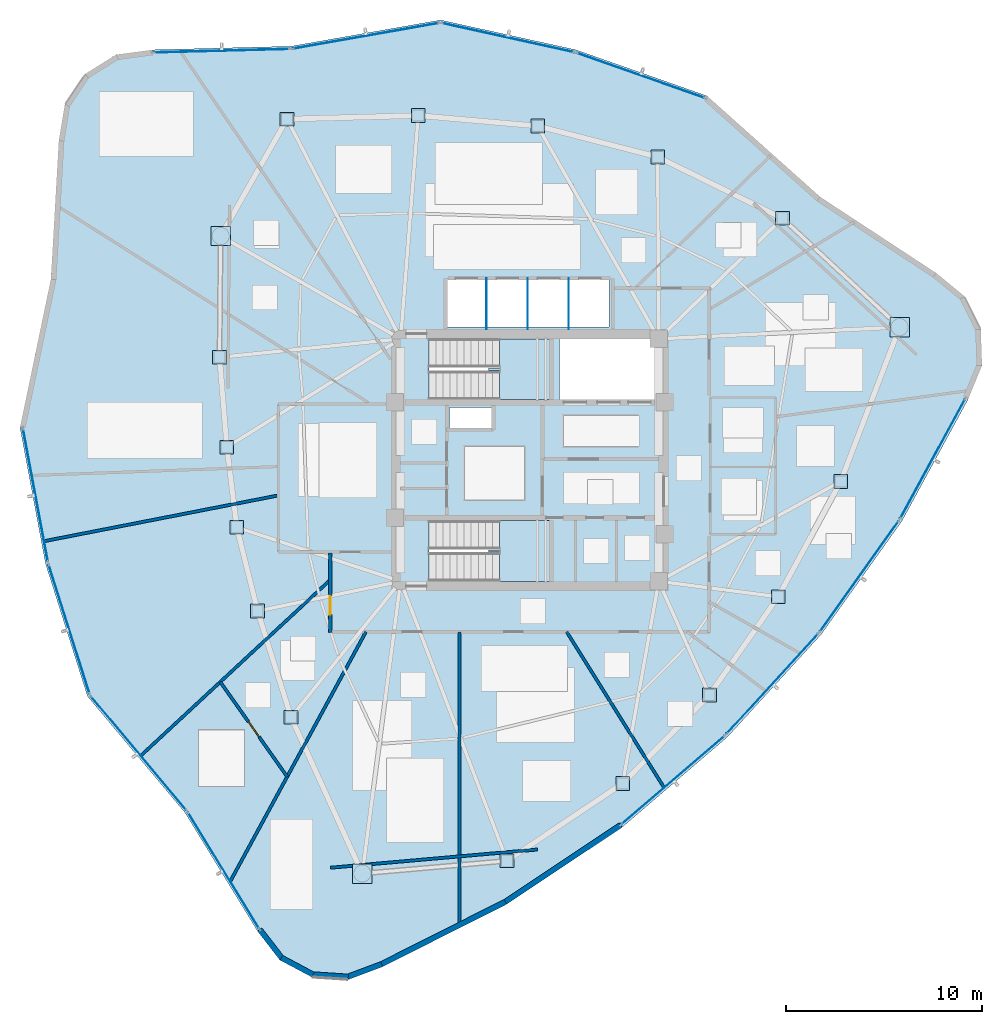
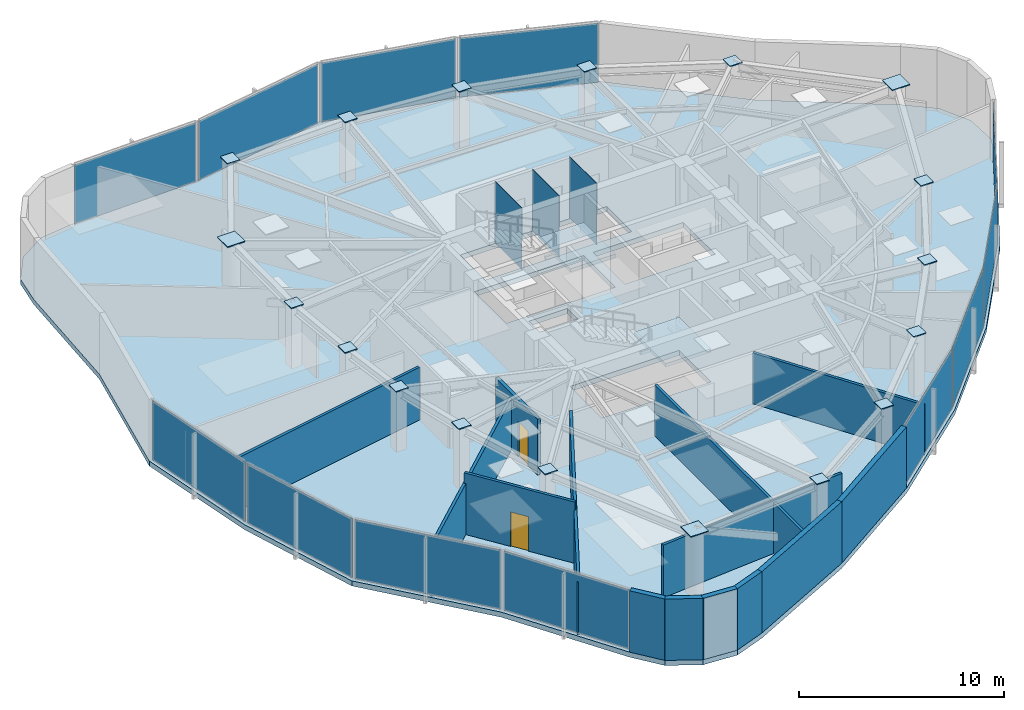
# One storey, part 7 of 13: 33 plates, 14 walls, 3 slabs, 2 doors, 2 openings, 14 elements without a shape of their own.
"""IFC4 building model written with IfcOpenShell, lengths in metres."""

from ifc_helpers import new_model, si_unit, direction, frame, frame_2d, origin, origin_2d, place, context, subcontext, project, spatial, polyline, rectangle, outline, extrude, source, transform, mapped, material, layer, layer_set, type_object, type_shapes, element, fill, aggregate, save


model = new_model("IFC4")

# Units and contexts
model_context = context("Model", 3, precision=1e-05, world=origin(), true_north=direction((0.0, 1.0)))
body_context = subcontext(model_context, "Body", "Model", "MODEL_VIEW")
ifc_project = project(units=[si_unit("LENGTHUNIT", "METRE"), si_unit("AREAUNIT", "SQUARE_METRE"), si_unit("VOLUMEUNIT", "CUBIC_METRE"), si_unit("PLANEANGLEUNIT", "RADIAN"), si_unit("MASSUNIT", "GRAM", prefix="KILO")], contexts=[model_context])

# Site, building, storey
site_placement = place(None, origin())
site = spatial("IfcSite", under=ifc_project, at=site_placement, CompositionType="ELEMENT")
building_placement = place(site_placement, origin())
building = spatial("IfcBuilding", under=site, at=building_placement, Name="Tavelor Broadcast Tower", CompositionType="ELEMENT")
storey_placement = place(building_placement, frame((0.0, 0.0, 226.10009765625)))
storey = spatial("IfcBuildingStorey", under=building, at=storey_placement, Name="L53", CompositionType="ELEMENT", Elevation=226.10009765625)

# Stair, slab
ifc_material_1 = material(Name="Concrete C40/50", Category="concrete")
stair_type = type_object("IfcStairType", Name="Reinforced Concrete Protected Dogleg Stair 1450 mm", PredefinedType="HALF_TURN_STAIR", material=ifc_material_1)
stair_1_placement = place(storey_placement, origin())
stair_1 = element("IfcStair", 1, at=stair_1_placement, inside=storey, type_object=stair_type, Name="L53 Protected Core Exit Stair ST1", PredefinedType="HALF_TURN_STAIR")
ifc_layer_1 = layer(ifc_material_1, 0.199951171875)
ifc_layer_set_1 = layer_set([ifc_layer_1], Name="Concrete C40/50")
slab_type_1 = type_object("IfcSlabType", Name="Reinforced Concrete Stair Half-Landing Slab 200 mm", PredefinedType="LANDING", material=ifc_layer_set_1)
slab_1_placement = place(storey_placement, frame((0.0, 0.0, 1.77490234375)))
slab_1 = element("IfcSlab", 2, at=slab_1_placement, type_object=slab_type_1, Name="ST1 landing 1", PredefinedType="LANDING", context=body_context, shape_type="SweptSolid", body=[
    extrude(outline(polyline([(48.445068359375, 49.590087890625), (48.445068359375, 48.094970703125), (51.0048828125, 48.094970703125), (51.0048828125, 51.205078125), (48.445068359375, 51.205078125), (48.445068359375, 49.7099609375), (47.905029296875, 49.7099609375), (47.905029296875, 49.590087890625), (48.445068359375, 49.590087890625)])), origin(), (0.0, 0.0, 1.0), 0.199951171875),
])
aggregate(stair_1, [slab_1])

stair_2_placement = place(storey_placement, origin())
stair_2 = element("IfcStair", 3, at=stair_2_placement, inside=storey, type_object=stair_type, Name="L53 Protected Core Exit Stair ST2", PredefinedType="HALF_TURN_STAIR")
slab_2_placement = place(storey_placement, frame((0.0, 0.0, 1.77490234375)))
slab_2 = element("IfcSlab", 4, at=slab_2_placement, type_object=slab_type_1, Name="ST2 landing 1", PredefinedType="LANDING", context=body_context, shape_type="SweptSolid", body=[
    extrude(outline(polyline([(48.445068359375, 40.2900390625), (48.445068359375, 38.794921875), (51.0048828125, 38.794921875), (51.0048828125, 41.905029296875), (48.445068359375, 41.905029296875), (48.445068359375, 40.409912109375), (47.905029296875, 40.409912109375), (47.905029296875, 40.2900390625), (48.445068359375, 40.2900390625)])), origin(), (0.0, 0.0, 1.0), 0.199951171875),
])
aggregate(stair_2, [slab_2])

# Slab
ifc_layer_2 = layer(ifc_material_1, 0.300048828125)
ifc_layer_set_2 = layer_set([ifc_layer_2], Name="Concrete C40/50")
slab_type_2 = type_object("IfcSlabType", Name="Tower Composite Floor Slab 300 mm", PredefinedType="FLOOR", material=ifc_layer_set_2)
slab_3_placement = place(storey_placement, frame((0.0, 0.0, -0.300048828125)))
element("IfcSlab", 5, at=slab_3_placement, inside=storey, type_object=slab_type_2, Name="L53 Structural Floor Slab", PredefinedType="FLOOR", context=body_context, shape_type="SweptSolid", body=[
    extrude(outline(polyline([(30.6962890625, 65.982666015625), (28.846923828125, 65.734375), (27.263916015625, 64.7470703125), (26.227294921875, 63.195556640625), (25.9208984375, 61.35498046875), (25.514892578125, 54.264892578125), (23.933349609375, 46.665771484375), (25.242919921875, 39.685791015625), (27.38720703125, 32.915283203125), (32.3720703125, 26.9658203125), (36.080322265625, 20.90869140625), (37.219970703125, 19.431396484375), (38.86669921875, 18.55419921875), (40.728515625, 18.43212890625), (42.4755859375, 19.087158203125), (48.819091796875, 22.28076171875), (54.729248046875, 26.218505859375), (60.119384765625, 30.842529296875), (64.91064453125, 36.0849609375), (69.031982421875, 41.86865234375), (72.42333984375, 48.1083984375), (73.1328125, 49.833984375), (73.0693359375, 51.698974609375), (72.244140625, 53.372314453125), (70.803466796875, 54.557861328125), (64.865966796875, 58.45458984375), (59.075927734375, 63.623779296875), (52.376220703125, 65.979736328125), (45.440673828125, 67.5078125), (37.7958984375, 66.165771484375), (30.6962890625, 65.982666015625)]), holes=[polyline([(50.99609375, 41.89599609375), (50.99609375, 38.803955078125), (44.85400390625, 38.803955078125), (44.85400390625, 41.89599609375), (50.99609375, 41.89599609375)]), polyline([(48.050048828125, 47.699951171875), (48.050048828125, 46.64990234375), (45.89990234375, 46.64990234375), (45.89990234375, 47.699951171875), (48.050048828125, 47.699951171875)]), polyline([(50.99609375, 51.196044921875), (50.99609375, 48.10400390625), (44.85400390625, 48.10400390625), (44.85400390625, 51.196044921875), (50.99609375, 51.196044921875)]), polyline([(56.60009765625, 48.10009765625), (51.52001953125, 48.10009765625), (51.52001953125, 51.199951171875), (56.60009765625, 51.199951171875), (56.60009765625, 48.10009765625)]), polyline([(54.050048828125, 51.800048828125), (45.800048828125, 51.800048828125), (45.800048828125, 54.25), (54.050048828125, 54.25), (54.050048828125, 51.800048828125)])]), origin(), (0.0, 0.0, 1.0), 0.300048828125),
])

# Plates
ifc_material_2 = material(Name="Steel S460", Category="steel")
ifc_layer_3 = layer(ifc_material_2, 0.050048828125)
ifc_layer_set_3 = layer_set([ifc_layer_3], Name="Steel S460")
plate_type_1 = type_object("IfcPlateType", Name="Tube Hollow-End Cap Plate KN05 700x700x50", PredefinedType="USERDEFINED", material=ifc_layer_set_3)
shared_shape_1 = source(origin(), body_context, "Body", "SweptSolid", [
    extrude(rectangle(XDim=0.699951171875, YDim=0.699951171875, at=origin_2d()), origin(), (0.0, 0.0, 1.0), 0.054931640625),
])
for number, where, z_axis, x_axis, name in (
    (6, (34.13720703125, 50.255859375, 3.62255859375), (0.0, 0.0, 1.0), (1.0, 0.0, 0.0), "L53 Hollow End Cap Plate KN05 #1562"),
    (7, (34.513671875, 45.66455078125, 3.62255859375), (0.0, 0.0, 1.0), (1.0, 0.0, 0.0), "L53 Hollow End Cap Plate KN05 #1563"),
    (8, (35.018798828125, 41.56396484375, 3.62255859375), (0.0, 0.0, 1.0), (1.0, 0.0, 0.0), "L53 Hollow End Cap Plate KN05 #1564"),
    (9, (36.08349609375, 37.2822265625, 3.62255859375), (0.0, 0.0, 1.0), (1.0, 0.0, 0.0), "L53 Hollow End Cap Plate KN05 #1565"),
    (10, (37.797119140625, 31.853271484375, 3.62255859375), (0.0, 0.0, 1.0), (1.0, 0.0, 0.0), "L53 Hollow End Cap Plate KN05 #1566"),
    (11, (48.843994140625, 24.5048828125, 3.62255859375), (0.0, 0.0, 1.0), (1.0, 0.0, 0.0), "L53 Hollow End Cap Plate KN05 #1568"),
    (12, (54.754150390625, 28.461669921875, 3.62255859375), (0.0, 0.0, 1.0), (1.0, 0.0, 0.0), "L53 Hollow End Cap Plate KN05 #1569"),
    (13, (59.1923828125, 32.987060546875, 3.62255859375), (0.0, 0.0, 1.0), (1.0, 0.0, 0.0), "L53 Hollow End Cap Plate KN05 #1570"),
    (14, (62.7109375, 38.009033203125, 3.62255859375), (0.0, 0.0, 1.0), (1.0, 0.0, 0.0), "L53 Hollow End Cap Plate KN05 #1571"),
    (15, (65.9072265625, 43.909423828125, 3.62255859375), (0.0, 0.0, 1.0), (1.0, 0.0, 0.0), "L53 Hollow End Cap Plate KN05 #1572"),
    (16, (62.92724609375, 57.364013671875, 3.62255859375), (0.0, 0.0, 1.0), (1.0, 0.0, 0.0), "L53 Hollow End Cap Plate KN05 #1574"),
    (17, (56.545654296875, 60.504150390625, 3.62255859375), (0.0, 0.0, 1.0), (1.0, 0.0, 0.0), "L53 Hollow End Cap Plate KN05 #1575"),
    (18, (50.4072265625, 62.0849609375, 3.62255859375), (0.0, 0.0, 1.0), (1.0, 0.0, 0.0), "L53 Hollow End Cap Plate KN05 #1576"),
    (19, (44.298828125, 62.621337890625, 3.62255859375), (0.0, 0.0, 1.0), (1.0, 0.0, 0.0), "L53 Hollow End Cap Plate KN05 #1577"),
    (20, (37.5908203125, 62.439208984375, 3.62255859375), (0.0, 0.0, 1.0), (1.0, 0.0, 0.0), "L53 Hollow End Cap Plate KN05 #1578"),
):
    element("IfcPlate", number, at=place(storey_placement, frame(where, z_axis=z_axis, x_axis=x_axis)), inside=storey, type_object=plate_type_1, Name=name, ObjectType="CAP PLATE", PredefinedType="USERDEFINED", context=body_context, shape_type="MappedRepresentation", body=[
        mapped(shared_shape_1, transform((0.0, 0.0, 0.0), scale=1.0)),
    ])
shared_shape_2 = source(origin(), body_context, "Body", "SweptSolid", [
    extrude(rectangle(XDim=0.993896484375, YDim=0.993896484375, at=origin_2d()), origin(), (0.0, 0.0, 1.0), 0.054931640625),
])
type_shapes(plate_type_1, [shared_shape_1, shared_shape_2])
for number, where, z_axis, x_axis, name in (
    (21, (34.1962890625, 56.4599609375, 3.62255859375), (0.0, 0.0, 1.0), (1.0, 0.0, 0.0), "L53 Hollow End Cap Plate KN05 #1561"),
    (22, (41.440185546875, 23.853759765625, 3.62255859375), (0.0, 0.0, 1.0), (1.0, 0.0, 0.0), "L53 Hollow End Cap Plate KN05 #1567"),
    (23, (68.919677734375, 51.799072265625, 3.62255859375), (0.0, 0.0, 1.0), (1.0, 0.0, 0.0), "L53 Hollow End Cap Plate KN05 #1573"),
):
    element("IfcPlate", number, at=place(storey_placement, frame(where, z_axis=z_axis, x_axis=x_axis)), inside=storey, type_object=plate_type_1, Name=name, ObjectType="CAP PLATE", PredefinedType="USERDEFINED", context=body_context, shape_type="MappedRepresentation", body=[
        mapped(shared_shape_2, transform((0.0, 0.0, 0.0), scale=1.0)),
    ])
ifc_material_3 = material(Name="Steel S355", Category="steel")
ifc_layer_4 = layer(ifc_material_3, 0.011962890625)
ifc_layer_set_4 = layer_set([ifc_layer_4], Name="Steel S355")
plate_type_2 = type_object("IfcPlateType", Name="Hoistway Steel Separator Screen 12 mm", PredefinedType="SHEET", material=ifc_layer_set_4)
shared_shape_3 = source(origin(), body_context, "Body", "SweptSolid", [
    extrude(rectangle(XDim=0.02001953125, YDim=2.6201171875, at=origin_2d()), origin(), (0.0, 0.0, 1.0), 3.64990234375),
])
type_shapes(plate_type_2, [shared_shape_3])
for number, where, z_axis, x_axis, name in (
    (24, (47.800048828125, 52.989990234375, 0.0), (0.0, 0.0, 1.0), (1.0, 0.0, 0.0), "L53 High-Rise Hoistway Separator Screen 1"),
    (25, (49.89990234375, 52.989990234375, 0.0), (0.0, 0.0, 1.0), (1.0, 0.0, 0.0), "L53 High-Rise Hoistway Separator Screen 2"),
    (26, (52.0, 52.989990234375, 0.0), (0.0, 0.0, 1.0), (1.0, 0.0, 0.0), "L53 High-Rise Hoistway Separator Screen 3"),
):
    element("IfcPlate", number, at=place(storey_placement, frame(where, z_axis=z_axis, x_axis=x_axis)), inside=storey, type_object=plate_type_2, Name=name, PredefinedType="SHEET", context=body_context, shape_type="MappedRepresentation", body=[
        mapped(shared_shape_3, transform((0.0, 0.0, 0.0), scale=1.0)),
    ])

# Curtain wall, plate
ifc_material_4 = material(Name="Architectural Anodized Aluminium", Category="aluminium")
ifc_layer_5 = layer(ifc_material_4, 0.199951171875)
ifc_layer_set_5 = layer_set([ifc_layer_5], Name="Architectural Anodized Aluminium")
curtain_wall_type = type_object("IfcCurtainWallType", Name="Tower High-Zone Triple-Glazed Curtain Wall CW04", PredefinedType="NOTDEFINED", material=ifc_layer_set_5)
curtain_wall_1_placement = place(storey_placement, origin())
curtain_wall_1 = element("IfcCurtainWall", 27, at=curtain_wall_1_placement, inside=storey, type_object=curtain_wall_type, Name="L53 Curtain Wall CW04 Run 565", PredefinedType="NOTDEFINED")
ifc_material_5 = material(Name="High-Altitude Triple Glazing 36 mm", Category="glass")
ifc_layer_6 = layer(ifc_material_5, 0.035888671875)
ifc_layer_set_6 = layer_set([ifc_layer_6], Name="High-Altitude Triple Glazing 36 mm")
plate_type_3 = type_object("IfcPlateType", Name="CW04 Insulated Vision Glazing Panel 36 mm", PredefinedType="CURTAIN_PANEL", material=ifc_layer_set_6)
shared_shape_4 = source(origin(), body_context, "Body", "SweptSolid", [
    extrude(rectangle(XDim=6.91064453125, YDim=0.035888671875, at=origin_2d()), origin(), (0.0, 0.0, 1.0), 3.510009765625),
])
plate_1_placement = place(storey_placement, frame((24.72607421875, 43.199462890625, 0.06982421875), z_axis=(0.0, 0.0, 1.0), x_axis=(0.184379305609, -0.982855163116, 0.0)))
plate_1 = element("IfcPlate", 28, at=plate_1_placement, type_object=plate_type_3, Name="CW04 panel 1.1", PredefinedType="CURTAIN_PANEL", context=body_context, shape_type="MappedRepresentation", body=[
    mapped(shared_shape_4, transform((0.0, 0.0, 0.0), scale=1.0)),
])
aggregate(curtain_wall_1, [plate_1])

curtain_wall_2_placement = place(storey_placement, origin())
curtain_wall_2 = element("IfcCurtainWall", 29, at=curtain_wall_2_placement, inside=storey, type_object=curtain_wall_type, Name="L53 Curtain Wall CW04 Run 573", PredefinedType="NOTDEFINED")
plate_2_placement = place(storey_placement, frame((55.677734375, 64.67041015625, 0.06982421875), z_axis=(0.0, 0.0, 1.0), x_axis=(-0.943365994219, 0.331753825827, 0.0)))
plate_2 = element("IfcPlate", 30, at=plate_2_placement, type_object=plate_type_3, Name="CW04 panel 1.1", PredefinedType="CURTAIN_PANEL", context=body_context, shape_type="MappedRepresentation", body=[
    mapped(shared_shape_4, transform((0.0, 0.0, 0.0), scale=1.0)),
])
aggregate(curtain_wall_2, [plate_2])

curtain_wall_3_placement = place(storey_placement, origin())
curtain_wall_3 = element("IfcCurtainWall", 31, at=curtain_wall_3_placement, inside=storey, type_object=curtain_wall_type, Name="L53 Curtain Wall CW04 Run 566", PredefinedType="NOTDEFINED")
shared_shape_5 = source(origin(), body_context, "Body", "SweptSolid", [
    extrude(rectangle(XDim=6.895751953125, YDim=0.035888671875, at=origin_2d()), origin(), (0.0, 0.0, 1.0), 3.510009765625),
])
plate_3_placement = place(storey_placement, frame((26.445556640625, 36.35205078125, 0.06982421875), z_axis=(0.0, 0.0, 1.0), x_axis=(0.301959091875, -0.953320883456, 0.0)))
plate_3 = element("IfcPlate", 32, at=plate_3_placement, type_object=plate_type_3, Name="CW04 panel 1.1", PredefinedType="CURTAIN_PANEL", context=body_context, shape_type="MappedRepresentation", body=[
    mapped(shared_shape_5, transform((0.0, 0.0, 0.0), scale=1.0)),
])
aggregate(curtain_wall_3, [plate_3])

curtain_wall_4_placement = place(storey_placement, origin())
curtain_wall_4 = element("IfcCurtainWall", 33, at=curtain_wall_4_placement, inside=storey, type_object=curtain_wall_type, Name="L53 Curtain Wall CW04 Run 574", PredefinedType="NOTDEFINED")
plate_4_placement = place(storey_placement, frame((48.8876953125, 66.60498046875, 0.06982421875), z_axis=(0.0, 0.0, 1.0), x_axis=(-0.976578745091, 0.21516029986, 0.0)))
plate_4 = element("IfcPlate", 34, at=plate_4_placement, type_object=plate_type_3, Name="CW04 panel 1.1", PredefinedType="CURTAIN_PANEL", context=body_context, shape_type="MappedRepresentation", body=[
    mapped(shared_shape_5, transform((0.0, 0.0, 0.0), scale=1.0)),
])
aggregate(curtain_wall_4, [plate_4])

curtain_wall_5_placement = place(storey_placement, origin())
curtain_wall_5 = element("IfcCurtainWall", 35, at=curtain_wall_5_placement, inside=storey, type_object=curtain_wall_type, Name="L53 Curtain Wall CW04 Run 567", PredefinedType="NOTDEFINED")
shared_shape_6 = source(origin(), body_context, "Body", "SweptSolid", [
    extrude(rectangle(XDim=7.574462890625, YDim=0.035888671875, at=origin_2d()), origin(), (0.0, 0.0, 1.0), 3.510009765625),
])
plate_5_placement = place(storey_placement, frame((29.999267578125, 30.015869140625, 0.06982421875), z_axis=(0.0, 0.0, 1.0), x_axis=(0.642220891832, -0.766519618858, 0.0)))
plate_5 = element("IfcPlate", 36, at=plate_5_placement, type_object=plate_type_3, Name="CW04 panel 1.1", PredefinedType="CURTAIN_PANEL", context=body_context, shape_type="MappedRepresentation", body=[
    mapped(shared_shape_6, transform((0.0, 0.0, 0.0), scale=1.0)),
])
aggregate(curtain_wall_5, [plate_5])

curtain_wall_6_placement = place(storey_placement, origin())
curtain_wall_6 = element("IfcCurtainWall", 37, at=curtain_wall_6_placement, inside=storey, type_object=curtain_wall_type, Name="L53 Curtain Wall CW04 Run 575", PredefinedType="NOTDEFINED")
plate_6_placement = place(storey_placement, frame((41.623779296875, 66.695556640625, 0.06982421875), z_axis=(0.0, 0.0, 1.0), x_axis=(-0.984937936626, -0.172908244437, 0.0)))
plate_6 = element("IfcPlate", 38, at=plate_6_placement, type_object=plate_type_3, Name="CW04 panel 1.1", PredefinedType="CURTAIN_PANEL", context=body_context, shape_type="MappedRepresentation", body=[
    mapped(shared_shape_6, transform((0.0, 0.0, 0.0), scale=1.0)),
])
aggregate(curtain_wall_6, [plate_6])

curtain_wall_7_placement = place(storey_placement, origin())
curtain_wall_7 = element("IfcCurtainWall", 39, at=curtain_wall_7_placement, inside=storey, type_object=curtain_wall_type, Name="L53 Curtain Wall CW04 Run 568", PredefinedType="NOTDEFINED")
shared_shape_7 = source(origin(), body_context, "Body", "SweptSolid", [
    extrude(rectangle(XDim=6.94970703125, YDim=0.035888671875, at=origin_2d()), origin(), (0.0, 0.0, 1.0), 3.510009765625),
])
plate_7_placement = place(storey_placement, frame((34.344970703125, 24.01171875, 0.06982421875), z_axis=(0.0, 0.0, 1.0), x_axis=(0.522143600434, -0.852857585137, 0.0)))
plate_7 = element("IfcPlate", 40, at=plate_7_placement, type_object=plate_type_3, Name="CW04 panel 1.1", PredefinedType="CURTAIN_PANEL", context=body_context, shape_type="MappedRepresentation", body=[
    mapped(shared_shape_7, transform((0.0, 0.0, 0.0), scale=1.0)),
])
aggregate(curtain_wall_7, [plate_7])

curtain_wall_8_placement = place(storey_placement, origin())
curtain_wall_8 = element("IfcCurtainWall", 41, at=curtain_wall_8_placement, inside=storey, type_object=curtain_wall_type, Name="L53 Curtain Wall CW04 Run 576", PredefinedType="NOTDEFINED")
plate_8_placement = place(storey_placement, frame((34.251220703125, 65.934326171875, 0.06982421875), z_axis=(0.0, 0.0, 1.0), x_axis=(-0.999667899844, -0.02576994416, 0.0)))
plate_8 = element("IfcPlate", 42, at=plate_8_placement, type_object=plate_type_3, Name="CW04 panel 1.1", PredefinedType="CURTAIN_PANEL", context=body_context, shape_type="MappedRepresentation", body=[
    mapped(shared_shape_7, transform((0.0, 0.0, 0.0), scale=1.0)),
])
aggregate(curtain_wall_8, [plate_8])

curtain_wall_9_placement = place(storey_placement, origin())
curtain_wall_9 = element("IfcCurtainWall", 43, at=curtain_wall_9_placement, inside=storey, type_object=curtain_wall_type, Name="L53 Curtain Wall CW04 Run 569", PredefinedType="NOTDEFINED")
shared_shape_8 = source(origin(), body_context, "Body", "SweptSolid", [
    extrude(rectangle(XDim=6.929931640625, YDim=0.035888671875, at=origin_2d()), origin(), (0.0, 0.0, 1.0), 3.510009765625),
])
plate_9_placement = place(storey_placement, frame((57.327392578125, 28.6318359375, 0.06982421875), z_axis=(0.0, 0.0, 1.0), x_axis=(0.758985963597, 0.65110698588, 0.0)))
plate_9 = element("IfcPlate", 44, at=plate_9_placement, type_object=plate_type_3, Name="CW04 panel 1.1", PredefinedType="CURTAIN_PANEL", context=body_context, shape_type="MappedRepresentation", body=[
    mapped(shared_shape_8, transform((0.0, 0.0, 0.0), scale=1.0)),
])
aggregate(curtain_wall_9, [plate_9])

curtain_wall_10_placement = place(storey_placement, origin())
curtain_wall_10 = element("IfcCurtainWall", 45, at=curtain_wall_10_placement, inside=storey, type_object=curtain_wall_type, Name="L53 Curtain Wall CW04 Run 570", PredefinedType="NOTDEFINED")
shared_shape_9 = source(origin(), body_context, "Body", "SweptSolid", [
    extrude(rectangle(XDim=6.9150390625, YDim=0.035888671875, at=origin_2d()), origin(), (0.0, 0.0, 1.0), 3.510009765625),
])
plate_10_placement = place(storey_placement, frame((62.41162109375, 33.558349609375, 0.06982421875), z_axis=(0.0, 0.0, 1.0), x_axis=(0.674620508162, 0.738164730915, 0.0)))
plate_10 = element("IfcPlate", 46, at=plate_10_placement, type_object=plate_type_3, Name="CW04 panel 1.1", PredefinedType="CURTAIN_PANEL", context=body_context, shape_type="MappedRepresentation", body=[
    mapped(shared_shape_9, transform((0.0, 0.0, 0.0), scale=1.0)),
])
aggregate(curtain_wall_10, [plate_10])

curtain_wall_11_placement = place(storey_placement, origin())
curtain_wall_11 = element("IfcCurtainWall", 47, at=curtain_wall_11_placement, inside=storey, type_object=curtain_wall_type, Name="L53 Curtain Wall CW04 Run 571", PredefinedType="NOTDEFINED")
shared_shape_10 = source(origin(), body_context, "Body", "SweptSolid", [
    extrude(rectangle(XDim=6.914794921875, YDim=0.035888671875, at=origin_2d()), origin(), (0.0, 0.0, 1.0), 3.510009765625),
])
plate_11_placement = place(storey_placement, frame((66.857421875, 39.05810546875, 0.06982421875), z_axis=(0.0, 0.0, 1.0), x_axis=(0.580338131869, 0.814375621381, 0.0)))
plate_11 = element("IfcPlate", 48, at=plate_11_placement, type_object=plate_type_3, Name="CW04 panel 1.1", PredefinedType="CURTAIN_PANEL", context=body_context, shape_type="MappedRepresentation", body=[
    mapped(shared_shape_10, transform((0.0, 0.0, 0.0), scale=1.0)),
])
aggregate(curtain_wall_11, [plate_11])

curtain_wall_12_placement = place(storey_placement, origin())
curtain_wall_12 = element("IfcCurtainWall", 49, at=curtain_wall_12_placement, inside=storey, type_object=curtain_wall_type, Name="L53 Curtain Wall CW04 Run 572", PredefinedType="NOTDEFINED")
shared_shape_11 = source(origin(), body_context, "Body", "SweptSolid", [
    extrude(rectangle(XDim=6.930908203125, YDim=0.035888671875, at=origin_2d()), origin(), (0.0, 0.0, 1.0), 3.510009765625),
])
type_shapes(plate_type_3, [shared_shape_4, shared_shape_5, shared_shape_6, shared_shape_7, shared_shape_8, shared_shape_9, shared_shape_10, shared_shape_11])
plate_12_placement = place(storey_placement, frame((70.608642578125, 45.0625, 0.06982421875), z_axis=(0.0, 0.0, 1.0), x_axis=(0.477522814111, 0.878619349892, 0.0)))
plate_12 = element("IfcPlate", 50, at=plate_12_placement, type_object=plate_type_3, Name="CW04 panel 1.1", PredefinedType="CURTAIN_PANEL", context=body_context, shape_type="MappedRepresentation", body=[
    mapped(shared_shape_11, transform((0.0, 0.0, 0.0), scale=1.0)),
])
aggregate(curtain_wall_12, [plate_12])

# Wall, opening, door
ifc_material_6 = material(Name="Calcium Silicate Fire Board 180 mm", Category="gypsum")
ifc_layer_7 = layer(ifc_material_6, 0.179931640625)
ifc_layer_set_7 = layer_set([ifc_layer_7], Name="Calcium Silicate Fire Board 180 mm")
wall_type_1 = type_object("IfcWallType", Name="Fire-Rated Corridor Partition Wall 180 mm", PredefinedType="PARTITIONING", material=ifc_layer_set_7)
wall_1_placement = place(storey_placement, frame((39.800048828125, 36.169921875, 0.0), z_axis=(0.0, 0.0, 1.0), x_axis=(0.0, 1.0, 0.0)))
wall_1 = element("IfcWall", 51, at=wall_1_placement, inside=storey, type_object=wall_type_1, Name="L53 Corridor Compartment Wall 05", PredefinedType="PARTITIONING", context=body_context, shape_type="SweptSolid", body=[
    extrude(rectangle(XDim=4.080078125, YDim=0.179931640625, at=frame_2d((2.0400390625, 0.0))), origin(), (0.0, 0.0, 1.0), 3.324951171875),
])
opening_1_placement = place(wall_1_placement, frame((0.9287109375, 0.0, 0.0)))
opening_1 = element("IfcOpeningElement", 52, at=opening_1_placement, cuts=wall_1, Name="Opening DR18", PredefinedType="OPENING", context=body_context, shape_type="SweptSolid", body=[
    extrude(rectangle(XDim=0.949951171875, YDim=2.050048828125, at=frame_2d((0.47509765625, 1.02490234375))), frame((0.0, 0.10009765625, 0.0), z_axis=(0.0, -1.0, 0.0), x_axis=(1.0, 0.0, 0.0)), (0.0, 0.0, 1.0), 0.199951171875),
])
ifc_material_7 = material(Name="Timber Solid Core Hardwood", Category="wood")
door_type_1 = type_object("IfcDoorType", Name="Corridor Rated Compartment Door 950x2050", OperationType="NOTDEFINED", PredefinedType="DOOR", material=ifc_material_7)
door_1_placement = place(opening_1_placement, origin())
door_1 = element("IfcDoor", 53, at=door_1_placement, inside=storey, type_object=door_type_1, Name="L53 Broadcast Editorial Office Door R13", OperationType="SINGLE_SWING_RIGHT", OverallHeight=2.050048828125, OverallWidth=0.949951171875, PredefinedType="DOOR", context=body_context, shape_type="SweptSolid", body=[
    extrude(rectangle(XDim=0.949951171875, YDim=2.050048828125, at=frame_2d((0.47509765625, 1.02490234375))), frame((0.0, 0.02490234375, 0.0), z_axis=(0.0, -1.0, 0.0), x_axis=(1.0, 0.0, 0.0)), (0.0, 0.0, 1.0), 0.050048828125),
])
fill(opening_1, door_1)

# Walls
ifc_material_8 = material(Name="Precast Concrete C40/50", Category="concrete")
ifc_layer_8 = layer(ifc_material_8, 0.280029296875)
ifc_layer_set_8 = layer_set([ifc_layer_8], Name="Precast Concrete C40/50")
wall_type_2 = type_object("IfcWallType", Name="Insulated Precast Terracotta Facade Wall 280 mm", PredefinedType="STANDARD", material=ifc_layer_set_8)
wall_2_placement = place(storey_placement, frame((36.193359375, 20.991455078125, 0.0), z_axis=(0.0, 0.0, 1.0), x_axis=(0.610815292471, -0.791773123112, 0.0)))
element("IfcWall", 54, at=wall_2_placement, inside=storey, type_object=wall_type_2, Name="L53 Rounded Corner Structural Cladding Pier 11", PredefinedType="STANDARD", context=body_context, shape_type="SweptSolid", body=[
    extrude(rectangle(XDim=1.846923828125, YDim=0.280029296875, at=frame_2d((0.92333984375, 0.0))), origin(), (0.0, 0.0, 1.0), 3.64990234375),
])
wall_3_placement = place(storey_placement, frame((37.29931640625, 19.5478515625, 0.0), z_axis=(0.0, 0.0, 1.0), x_axis=(0.882555373854, -0.470208477253, 0.0)))
element("IfcWall", 55, at=wall_3_placement, inside=storey, type_object=wall_type_2, Name="L53 Rounded Corner Structural Cladding Pier 12", PredefinedType="STANDARD", context=body_context, shape_type="SweptSolid", body=[
    extrude(rectangle(XDim=1.83544921875, YDim=0.280029296875, at=frame_2d((0.917724609375, 0.0))), origin(), (0.0, 0.0, 1.0), 3.64990234375),
])
wall_4_placement = place(storey_placement, frame((38.89111328125, 18.69287109375, 0.0), z_axis=(0.0, 0.0, 1.0), x_axis=(0.997855809763, -0.065450614372, 0.0)))
element("IfcWall", 56, at=wall_4_placement, inside=storey, type_object=wall_type_2, Name="L53 Rounded Corner Structural Cladding Pier 13", PredefinedType="STANDARD", context=body_context, shape_type="SweptSolid", body=[
    extrude(rectangle(XDim=1.835205078125, YDim=0.280029296875, at=frame_2d((0.91748046875, 0.0))), origin(), (0.0, 0.0, 1.0), 3.64990234375),
])
wall_5_placement = place(storey_placement, frame((40.693603515625, 18.568603515625, 0.0), z_axis=(0.0, 0.0, 1.0), x_axis=(0.936383168039, 0.350979433319, 0.0)))
element("IfcWall", 57, at=wall_5_placement, inside=storey, type_object=wall_type_2, Name="L53 Rounded Corner Structural Cladding Pier 14", PredefinedType="STANDARD", context=body_context, shape_type="SweptSolid", body=[
    extrude(rectangle(XDim=1.85791015625, YDim=0.280029296875, at=frame_2d((0.928955078125, 0.0))), origin(), (0.0, 0.0, 1.0), 3.64990234375),
])
wall_6_placement = place(storey_placement, frame((42.406005859375, 19.208740234375, 0.0), z_axis=(0.0, 0.0, 1.0), x_axis=(0.893181734269, 0.449695885648, 0.0)))
element("IfcWall", 58, at=wall_6_placement, inside=storey, type_object=wall_type_2, Name="L53 Rounded Corner Structural Cladding Pier 15", PredefinedType="STANDARD", context=body_context, shape_type="SweptSolid", body=[
    extrude(rectangle(XDim=7.11572265625, YDim=0.280029296875, at=frame_2d((3.557861328125, 0.0))), origin(), (0.0, 0.0, 1.0), 3.64990234375),
])
wall_7_placement = place(storey_placement, frame((48.736083984375, 22.3935546875, 0.0), z_axis=(0.0, 0.0, 1.0), x_axis=(0.832187740949, 0.554493970945, 0.0)))
element("IfcWall", 59, at=wall_7_placement, inside=storey, type_object=wall_type_2, Name="L53 Rounded Corner Structural Cladding Pier 16", PredefinedType="STANDARD", context=body_context, shape_type="SweptSolid", body=[
    extrude(rectangle(XDim=7.103759765625, YDim=0.280029296875, at=frame_2d((3.5517578125, 0.0))), origin(), (0.0, 0.0, 1.0), 3.64990234375),
])
ifc_material_9 = material(Name="Gypsum Acoustic Plasterboard 150 mm", Category="gypsum")
ifc_layer_9 = layer(ifc_material_9, 0.14990234375)
ifc_layer_set_9 = layer_set([ifc_layer_9], Name="Gypsum Acoustic Plasterboard 150 mm")
wall_type_3 = type_object("IfcWallType", Name="Interior Acoustic Partition Wall 150 mm", PredefinedType="PARTITIONING", material=ifc_layer_set_9)
wall_8_placement = place(storey_placement, frame((39.807861328125, 24.15185546875, 0.0), z_axis=(0.0, 0.0, 1.0), x_axis=(0.996153584085, 0.087624408208, 0.0)))
element("IfcWall", 60, at=wall_8_placement, inside=storey, type_object=wall_type_3, Name="L53 Corner Tube Brace Furring Wall 2", PredefinedType="PARTITIONING", context=body_context, shape_type="SweptSolid", body=[
    extrude(rectangle(XDim=10.63232421875, YDim=0.14990234375, at=frame_2d((5.316162109375, 0.0))), origin(), (0.0, 0.0, 1.0), 3.135009765625),
])
wall_9_placement = place(storey_placement, frame((37.080078125, 43.179443359375, 0.0), z_axis=(0.0, 0.0, 1.0), x_axis=(-0.981454920946, -0.19169308321, 0.0)))
element("IfcWall", 61, at=wall_9_placement, inside=storey, type_object=wall_type_3, Name="L53 Radial Compartment Wall 09", PredefinedType="PARTITIONING", context=body_context, shape_type="SweptSolid", body=[
    extrude(rectangle(XDim=12.14892578125, YDim=0.14990234375, at=frame_2d((6.074462890625, 0.0))), origin(), (0.0, 0.0, 1.0), 3.135009765625),
])
wall_10_placement = place(storey_placement, frame((39.800048828125, 38.873779296875, 0.0), z_axis=(0.0, 0.0, 1.0), x_axis=(-0.732917057611, -0.680318004071, 0.0)))
element("IfcWall", 62, at=wall_10_placement, inside=storey, type_object=wall_type_3, Name="L53 Radial Compartment Wall 10", PredefinedType="PARTITIONING", context=body_context, shape_type="SweptSolid", body=[
    extrude(rectangle(XDim=13.228271484375, YDim=0.14990234375, at=frame_2d((6.6142578125, 0.0))), origin(), (0.0, 0.0, 1.0), 3.02490234375),
])
wall_11_placement = place(storey_placement, frame((41.626708984375, 36.219970703125, 0.0), z_axis=(0.0, 0.0, 1.0), x_axis=(-0.477626014046, -0.878563253674, 0.0)))
element("IfcWall", 63, at=wall_11_placement, inside=storey, type_object=wall_type_3, Name="L53 Radial Compartment Wall 11", PredefinedType="PARTITIONING", context=body_context, shape_type="SweptSolid", body=[
    extrude(rectangle(XDim=14.542236328125, YDim=0.14990234375, at=frame_2d((7.27099609375, 0.0))), origin(), (0.0, 0.0, 1.0), 3.135009765625),
])
wall_12_placement = place(storey_placement, frame((46.406005859375, 36.219970703125, 0.0), z_axis=(0.0, 0.0, 1.0), x_axis=(0.000683437859, -0.999999766456, 0.0)))
element("IfcWall", 64, at=wall_12_placement, inside=storey, type_object=wall_type_3, Name="L53 Radial Compartment Wall 12", PredefinedType="PARTITIONING", context=body_context, shape_type="SweptSolid", body=[
    extrude(rectangle(XDim=15.00341796875, YDim=0.14990234375, at=frame_2d((7.501708984375, 0.0))), origin(), (0.0, 0.0, 1.0), 3.02490234375),
])
wall_13_placement = place(storey_placement, frame((51.8896484375, 36.219970703125, 0.0), z_axis=(0.0, 0.0, 1.0), x_axis=(0.530134111067, -0.847913807107, 0.0)))
element("IfcWall", 65, at=wall_13_placement, inside=storey, type_object=wall_type_3, Name="L53 Radial Compartment Wall 13", PredefinedType="PARTITIONING", context=body_context, shape_type="SweptSolid", body=[
    extrude(rectangle(XDim=9.416015625, YDim=0.14990234375, at=frame_2d((4.7080078125, 0.0))), origin(), (0.0, 0.0, 1.0), 3.02490234375),
])

# Wall, opening, door
wall_14_placement = place(storey_placement, frame((34.1767578125, 33.654052734375, 0.0), z_axis=(0.0, 0.0, 1.0), x_axis=(0.57689975021, -0.816814959588, 0.0)))
wall_14 = element("IfcWall", 66, at=wall_14_placement, inside=storey, type_object=wall_type_3, Name="L53 Suite Chord Partition Wall 01", PredefinedType="PARTITIONING", context=body_context, shape_type="SweptSolid", body=[
    extrude(rectangle(XDim=5.9306640625, YDim=0.14990234375, at=frame_2d((2.96533203125, 0.0))), origin(), (0.0, 0.0, 1.0), 3.64990234375),
])
opening_2_placement = place(wall_14_placement, frame((2.490478515625, 0.0, 0.0)))
opening_2 = element("IfcOpeningElement", 67, at=opening_2_placement, cuts=wall_14, Name="Opening DR23", PredefinedType="OPENING", context=body_context, shape_type="SweptSolid", body=[
    extrude(rectangle(XDim=0.949951171875, YDim=2.050048828125, at=frame_2d((0.47509765625, 1.02490234375))), frame((0.0, 0.0849609375, 0.0), z_axis=(0.0, -1.0, 0.0), x_axis=(1.0, 0.0, 0.0)), (0.0, 0.0, 1.0), 0.169921875),
])
door_type_2 = type_object("IfcDoorType", Name="Editorial Room Acoustic Door 950x2050", OperationType="NOTDEFINED", PredefinedType="DOOR", material=ifc_material_7)
door_2_placement = place(opening_2_placement, origin())
door_2 = element("IfcDoor", 68, at=door_2_placement, inside=storey, type_object=door_type_2, Name="L53 Outer Suite Partition Door 1", OperationType="SINGLE_SWING_LEFT", OverallHeight=2.050048828125, OverallWidth=0.949951171875, PredefinedType="DOOR", context=body_context, shape_type="SweptSolid", body=[
    extrude(rectangle(XDim=0.949951171875, YDim=2.050048828125, at=frame_2d((0.47509765625, 1.02490234375))), frame((0.0, 0.02490234375, 0.0), z_axis=(0.0, -1.0, 0.0), x_axis=(1.0, 0.0, 0.0)), (0.0, 0.0, 1.0), 0.050048828125),
])
fill(opening_2, door_2)

save(model, "model.ifc")
